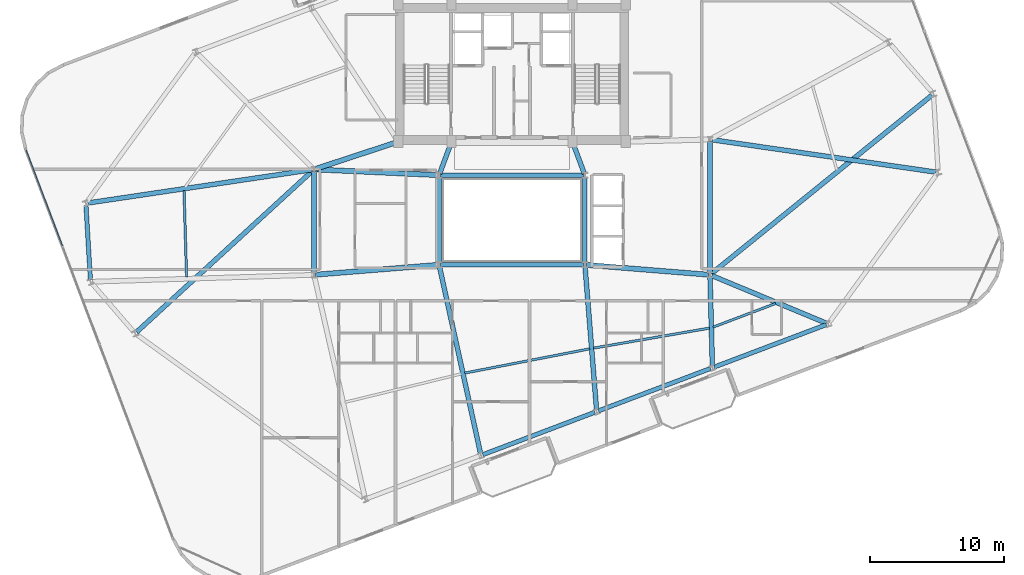
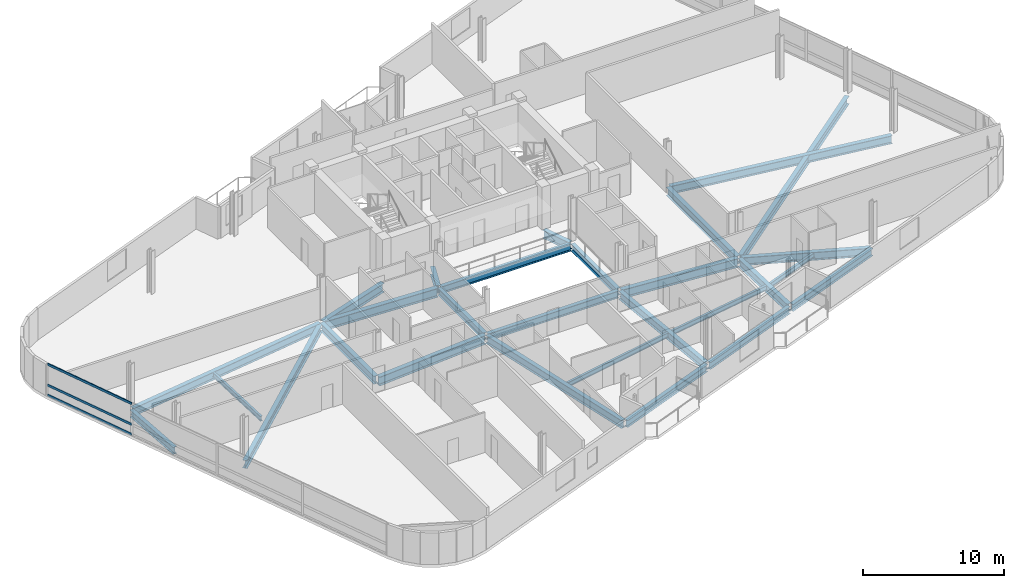
# One storey, part 9 of 24: 28 beams, 3 members, 1 element without a shape of its own.
"""IFC4 building model written with IfcOpenShell, lengths in metres."""

from ifc_helpers import new_model, si_unit, direction, frame, origin, origin_2d, place, context, subcontext, project, spatial, hollow_rectangle, i_section, extrude, material, layer, layer_set, material_profile, profile_set, type_object, element, aggregate, save


model = new_model("IFC4")

# Units and contexts
model_context = context("Model", 3, precision=1e-05, world=origin(), true_north=direction((0.0, 1.0)))
body_context = subcontext(model_context, "Body", "Model", "MODEL_VIEW")
ifc_project = project(units=[si_unit("LENGTHUNIT", "METRE"), si_unit("AREAUNIT", "SQUARE_METRE"), si_unit("VOLUMEUNIT", "CUBIC_METRE"), si_unit("PLANEANGLEUNIT", "RADIAN"), si_unit("MASSUNIT", "GRAM", prefix="KILO")], contexts=[model_context])

# Site, building, storey
site_placement = place(None, origin())
site = spatial("IfcSite", under=ifc_project, at=site_placement, CompositionType="ELEMENT")
building_placement = place(site_placement, origin())
building = spatial("IfcBuilding", under=site, at=building_placement, Name="Varnelok Gate Tower", CompositionType="ELEMENT")
storey_placement = place(building_placement, frame((0.0, 0.0, 212.699951171875)))
storey = spatial("IfcBuildingStorey", under=building, at=storey_placement, Name="L54", CompositionType="ELEMENT", Elevation=212.699951171875)

# Beams
ifc_material_1 = material(Name="Structural Steel ASTM A992 Grade 50", Category="steel")
ifc_material_profile_1 = material_profile(ifc_material_1, i_section(OverallWidth=0.180908203125, OverallDepth=0.4169921875, WebThickness=0.010986328125, FlangeThickness=0.018310546875, FilletRadius=0.013916015625, at=origin_2d()), Name="W16X57")
ifc_profile_set_1 = profile_set([ifc_material_profile_1], Name="Structural Steel ASTM A992 Grade 50")
beam_type_1 = type_object("IfcBeamType", Name="BM-JST-W16X57", PredefinedType="JOIST", material=ifc_profile_set_1)
beam_1_placement = place(storey_placement, frame((35.67138671875, 11.4560546875, -0.45849609375), z_axis=(0.981683548434, 0.190518793651, 0.0), x_axis=(-0.190518793651, 0.981683548434, 0.0)))
element("IfcBeam", 1, at=beam_1_placement, inside=storey, type_object=beam_type_1, Name="L54 Sector Floor Joist 2", PredefinedType="JOIST", context=body_context, shape_type="SweptSolid", body=[
    extrude(i_section(OverallWidth=0.180908203125, OverallDepth=0.4169921875, WebThickness=0.010986328125, FlangeThickness=0.018310546875, FilletRadius=0.013916015625, at=origin_2d()), origin(), (0.0, 0.0, 1.0), 9.517333984375),
])
beam_2_placement = place(storey_placement, frame((45.289794921875, 13.31982421875, -0.45849609375), z_axis=(0.985440255027, 0.170022068484, 0.0), x_axis=(-0.170022068484, 0.985440255027, 0.0)))
element("IfcBeam", 2, at=beam_2_placement, inside=storey, type_object=beam_type_1, Name="L54 Sector Floor Joist 3", PredefinedType="JOIST", context=body_context, shape_type="SweptSolid", body=[
    extrude(i_section(OverallWidth=0.180908203125, OverallDepth=0.4169921875, WebThickness=0.010986328125, FlangeThickness=0.018310546875, FilletRadius=0.013916015625, at=origin_2d()), origin(), (0.0, 0.0, 1.0), 8.8037109375),
])
beam_3_placement = place(storey_placement, frame((54.234375, 14.889892578125, -0.45849609375), z_axis=(0.935207052986, 0.354101352786, 0.0), x_axis=(-0.354101352786, 0.935207052986, 0.0)))
element("IfcBeam", 3, at=beam_3_placement, inside=storey, type_object=beam_type_1, Name="L54 Sector Floor Joist 4", PredefinedType="JOIST", context=body_context, shape_type="SweptSolid", body=[
    extrude(i_section(OverallWidth=0.180908203125, OverallDepth=0.4169921875, WebThickness=0.010986328125, FlangeThickness=0.018310546875, FilletRadius=0.013916015625, at=origin_2d()), origin(), (0.0, 0.0, 1.0), 4.992431640625),
])
beam_4_placement = place(storey_placement, frame((14.6826171875, 25.095947265625, -0.45849609375), z_axis=(0.029614672616, -0.999561389393, 0.0), x_axis=(0.999561389393, 0.029614672616, 0.0)))
element("IfcBeam", 4, at=beam_4_placement, inside=storey, type_object=beam_type_1, Name="L54 Sector Floor Joist 11", PredefinedType="JOIST", context=body_context, shape_type="SweptSolid", body=[
    extrude(i_section(OverallWidth=0.180908203125, OverallDepth=0.4169921875, WebThickness=0.010986328125, FlangeThickness=0.018310546875, FilletRadius=0.013916015625, at=origin_2d()), origin(), (0.0, 0.0, 1.0), 6.455078125),
])
ifc_material_profile_2 = material_profile(ifc_material_1, i_section(OverallWidth=0.35498046875, OverallDepth=0.696044921875, WebThickness=0.015380859375, FlangeThickness=0.02490234375, FilletRadius=0.02001953125, at=origin_2d()), Name="W27X146")
ifc_profile_set_2 = profile_set([ifc_material_profile_2], Name="Structural Steel ASTM A992 Grade 50")
beam_type_2 = type_object("IfcBeamType", Name="BM-PRI-W27X146", PredefinedType="BEAM", material=ifc_profile_set_2)
for number, where, z_axis, x_axis, name in (
    (5, (33.791748046875, 26.362548828125, -0.597900390625), (0.348719329408, 0.937227202602, 0.0), (-0.937227202602, 0.348719329408, 0.0), "L54 Core-Atrium Spine Beam 12"),
    (6, (44.608154296875, 26.362548828125, -0.597900390625), (-0.348719329408, 0.937227202602, 0.0), (-0.937227202602, -0.348719329408, 0.0), "L54 Core-Atrium Spine Beam 13"),
):
    element("IfcBeam", number, at=place(storey_placement, frame(where, z_axis=z_axis, x_axis=x_axis)), inside=storey, type_object=beam_type_2, Name=name, PredefinedType="BEAM", context=body_context, shape_type="SweptSolid", body=[
        extrude(i_section(OverallWidth=0.35498046875, OverallDepth=0.696044921875, WebThickness=0.015380859375, FlangeThickness=0.02490234375, FilletRadius=0.02001953125, at=origin_2d()), origin(), (0.0, 0.0, 1.0), 2.42724609375),
    ])
beam_5_placement = place(storey_placement, frame((24.39990234375, 18.919921875, -0.597900390625), z_axis=(0.0, 1.0, 0.0), x_axis=(-1.0, 0.0, 0.0)))
element("IfcBeam", 7, at=beam_5_placement, inside=storey, type_object=beam_type_2, Name="L54 Core-Atrium Spine Beam 16", PredefinedType="BEAM", context=body_context, shape_type="SweptSolid", body=[
    extrude(i_section(OverallWidth=0.35498046875, OverallDepth=0.696044921875, WebThickness=0.015380859375, FlangeThickness=0.02490234375, FilletRadius=0.02001953125, at=origin_2d()), origin(), (0.0, 0.0, 1.0), 7.64013671875),
])
beam_6_placement = place(storey_placement, frame((54.0, 18.919921875, -0.597900390625), z_axis=(0.0, 1.0, 0.0), x_axis=(-1.0, 0.0, 0.0)))
element("IfcBeam", 8, at=beam_6_placement, inside=storey, type_object=beam_type_2, Name="L54 Core-Atrium Spine Beam 20", PredefinedType="BEAM", context=body_context, shape_type="SweptSolid", body=[
    extrude(i_section(OverallWidth=0.35498046875, OverallDepth=0.696044921875, WebThickness=0.015380859375, FlangeThickness=0.02490234375, FilletRadius=0.02001953125, at=origin_2d()), origin(), (0.0, 0.0, 1.0), 9.880126953125),
])
beam_7_placement = place(storey_placement, frame((33.7822265625, 19.403564453125, -0.597900390625), z_axis=(0.214566745256, -0.976709328219, 0.0), x_axis=(0.976709328219, 0.214566745256, 0.0)))
element("IfcBeam", 9, at=beam_7_placement, inside=storey, type_object=beam_type_2, Name="L54 Radial Floor Girder 2", PredefinedType="BEAM", context=body_context, shape_type="SweptSolid", body=[
    extrude(i_section(OverallWidth=0.35498046875, OverallDepth=0.696044921875, WebThickness=0.015380859375, FlangeThickness=0.02490234375, FilletRadius=0.02001953125, at=origin_2d()), origin(), (0.0, 0.0, 1.0), 14.28662109375),
])
beam_8_placement = place(storey_placement, frame((44.662109375, 19.400390625, -0.597900390625), z_axis=(0.079989916961, -0.996795672736, 0.0), x_axis=(0.996795672736, 0.079989916961, 0.0)))
element("IfcBeam", 10, at=beam_8_placement, inside=storey, type_object=beam_type_2, Name="L54 Radial Floor Girder 3", PredefinedType="BEAM", context=body_context, shape_type="SweptSolid", body=[
    extrude(i_section(OverallWidth=0.35498046875, OverallDepth=0.696044921875, WebThickness=0.015380859375, FlangeThickness=0.02490234375, FilletRadius=0.02001953125, at=origin_2d()), origin(), (0.0, 0.0, 1.0), 10.70703125),
])
beam_9_placement = place(storey_placement, frame((54.00390625, 18.650146484375, -0.597900390625), z_axis=(0.026105842948, -0.999659184404, 0.0), x_axis=(0.999659184404, 0.026105842948, 0.0)))
element("IfcBeam", 11, at=beam_9_placement, inside=storey, type_object=beam_type_2, Name="L54 Radial Floor Girder 4", PredefinedType="BEAM", context=body_context, shape_type="SweptSolid", body=[
    extrude(i_section(OverallWidth=0.35498046875, OverallDepth=0.696044921875, WebThickness=0.015380859375, FlangeThickness=0.02490234375, FilletRadius=0.02001953125, at=origin_2d()), origin(), (0.0, 0.0, 1.0), 6.649169921875),
])
beam_10_placement = place(storey_placement, frame((54.138427734375, 18.742431640625, -0.597900390625), z_axis=(0.923393134815, -0.383855595995, 0.0), x_axis=(0.383855595995, 0.923393134815, 0.0)))
element("IfcBeam", 12, at=beam_10_placement, inside=storey, type_object=beam_type_2, Name="L54 Radial Floor Girder 5", PredefinedType="BEAM", context=body_context, shape_type="SweptSolid", body=[
    extrude(i_section(OverallWidth=0.35498046875, OverallDepth=0.696044921875, WebThickness=0.015380859375, FlangeThickness=0.02490234375, FilletRadius=0.02001953125, at=origin_2d()), origin(), (0.0, 0.0, 1.0), 9.264892578125),
])
beam_11_placement = place(storey_placement, frame((54.1484375, 28.8984375, -0.597900390625), z_axis=(0.989703475153, -0.143132914699, 0.0), x_axis=(0.143132914699, 0.989703475153, 0.0)))
element("IfcBeam", 13, at=beam_11_placement, inside=storey, type_object=beam_type_2, Name="L54 Radial Floor Girder 6", PredefinedType="BEAM", context=body_context, shape_type="SweptSolid", body=[
    extrude(i_section(OverallWidth=0.35498046875, OverallDepth=0.696044921875, WebThickness=0.015380859375, FlangeThickness=0.02490234375, FilletRadius=0.02001953125, at=origin_2d()), origin(), (0.0, 0.0, 1.0), 16.932373046875),
])
beam_12_placement = place(storey_placement, frame((54.11669921875, 18.894287109375, -0.597900390625), z_axis=(0.777332597566, 0.629089844745, 0.0), x_axis=(-0.629089844745, 0.777332597566, 0.0)))
element("IfcBeam", 14, at=beam_12_placement, inside=storey, type_object=beam_type_2, Name="L54 Radial Floor Girder 7", PredefinedType="BEAM", context=body_context, shape_type="SweptSolid", body=[
    extrude(i_section(OverallWidth=0.35498046875, OverallDepth=0.696044921875, WebThickness=0.015380859375, FlangeThickness=0.02490234375, FilletRadius=0.02001953125, at=origin_2d()), origin(), (0.0, 0.0, 1.0), 21.190673828125),
])
beam_13_placement = place(storey_placement, frame((24.251708984375, 26.657958984375, -0.597900390625), z_axis=(-0.989147373927, -0.146926759485, 0.0), x_axis=(0.146926759485, -0.989147373927, 0.0)))
element("IfcBeam", 15, at=beam_13_placement, inside=storey, type_object=beam_type_2, Name="L54 Radial Floor Girder 14", PredefinedType="BEAM", context=body_context, shape_type="SweptSolid", body=[
    extrude(i_section(OverallWidth=0.35498046875, OverallDepth=0.696044921875, WebThickness=0.015380859375, FlangeThickness=0.02490234375, FilletRadius=0.02001953125, at=origin_2d()), origin(), (0.0, 0.0, 1.0), 16.942138671875),
])
beam_14_placement = place(storey_placement, frame((24.289306640625, 26.57861328125, -0.597900390625), z_axis=(-0.737119491435, -0.675762425226, 0.0), x_axis=(0.675762425226, -0.737119491435, 0.0)))
element("IfcBeam", 16, at=beam_14_placement, inside=storey, type_object=beam_type_2, Name="L54 Radial Floor Girder 16", PredefinedType="BEAM", context=body_context, shape_type="SweptSolid", body=[
    extrude(i_section(OverallWidth=0.35498046875, OverallDepth=0.696044921875, WebThickness=0.015380859375, FlangeThickness=0.02490234375, FilletRadius=0.02001953125, at=origin_2d()), origin(), (0.0, 0.0, 1.0), 17.841796875),
])
ifc_material_profile_3 = material_profile(ifc_material_1, i_section(OverallWidth=0.381103515625, OverallDepth=0.77294921875, WebThickness=0.0166015625, FlangeThickness=0.027099609375, FilletRadius=0.02197265625, at=origin_2d()), Name="W30X173")
ifc_profile_set_3 = profile_set([ifc_material_profile_3], Name="Structural Steel ASTM A992 Grade 50")
beam_type_3 = type_object("IfcBeamType", Name="BM-PRI-W30X173", PredefinedType="BEAM", material=ifc_profile_set_3)
beam_15_placement = place(storey_placement, frame((24.51953125, 18.8095703125, -0.636474609375), z_axis=(0.996799206292, 0.07994587128, 0.0), x_axis=(-0.07994587128, 0.996799206292, 0.0)))
element("IfcBeam", 17, at=beam_15_placement, inside=storey, type_object=beam_type_3, Name="L54 Core-Atrium Spine Beam 14", PredefinedType="BEAM", context=body_context, shape_type="SweptSolid", body=[
    extrude(i_section(OverallWidth=0.381103515625, OverallDepth=0.77294921875, WebThickness=0.0166015625, FlangeThickness=0.027099609375, FilletRadius=0.02197265625, at=origin_2d()), origin(), (0.0, 0.0, 1.0), 9.14013671875),
])
beam_16_placement = place(storey_placement, frame((24.52001953125, 26.674560546875, -0.636474609375), z_axis=(0.99894427814, -0.045938319209, 0.0), x_axis=(0.045938319209, 0.99894427814, 0.0)))
element("IfcBeam", 18, at=beam_16_placement, inside=storey, type_object=beam_type_3, Name="L54 Core-Atrium Spine Beam 15", PredefinedType="BEAM", context=body_context, shape_type="SweptSolid", body=[
    extrude(i_section(OverallWidth=0.381103515625, OverallDepth=0.77294921875, WebThickness=0.0166015625, FlangeThickness=0.027099609375, FilletRadius=0.02197265625, at=origin_2d()), origin(), (0.0, 0.0, 1.0), 9.11962890625),
])
beam_17_placement = place(storey_placement, frame((24.513916015625, 26.717529296875, -0.636474609375), z_axis=(0.950041943788, 0.312122259768, 0.0), x_axis=(-0.312122259768, 0.950041943788, 0.0)))
element("IfcBeam", 19, at=beam_17_placement, inside=storey, type_object=beam_type_3, Name="L54 Core-Atrium Spine Beam 17", PredefinedType="BEAM", context=body_context, shape_type="SweptSolid", body=[
    extrude(i_section(OverallWidth=0.381103515625, OverallDepth=0.77294921875, WebThickness=0.0166015625, FlangeThickness=0.027099609375, FilletRadius=0.02197265625, at=origin_2d()), origin(), (0.0, 0.0, 1.0), 6.391357421875),
])
beam_18_placement = place(storey_placement, frame((44.76953125, 19.540283203125, -0.636474609375), z_axis=(0.996799206292, -0.07994587128, 0.0), x_axis=(0.07994587128, 0.996799206292, 0.0)))
element("IfcBeam", 20, at=beam_18_placement, inside=storey, type_object=beam_type_3, Name="L54 Core-Atrium Spine Beam 18", PredefinedType="BEAM", context=body_context, shape_type="SweptSolid", body=[
    extrude(i_section(OverallWidth=0.381103515625, OverallDepth=0.77294921875, WebThickness=0.0166015625, FlangeThickness=0.027099609375, FilletRadius=0.02197265625, at=origin_2d()), origin(), (0.0, 0.0, 1.0), 9.14013671875),
])
ifc_material_profile_4 = material_profile(ifc_material_1, i_section(OverallWidth=0.323974609375, OverallDepth=0.611083984375, WebThickness=0.0126953125, FlangeThickness=0.01904296875, FilletRadius=0.01806640625, at=origin_2d()), Name="W24X104")
ifc_profile_set_4 = profile_set([ifc_material_profile_4], Name="Structural Steel ASTM A992 Grade 50")
beam_type_4 = type_object("IfcBeamType", Name="BM-SPN-W24X104", PredefinedType="SPANDREL", material=ifc_profile_set_4)
for number, where, z_axis, x_axis, name in (
    (21, (33.8701171875, 19.550048828125, -0.555419921875), (1.0, 0.0, 0.0), (0.0, 1.0, 0.0), "L54 Core-Atrium Spine Beam 8"),
    (22, (33.8701171875, 26.25, -0.555419921875), (1.0, 0.0, 0.0), (0.0, 1.0, 0.0), "L54 Core-Atrium Spine Beam 9"),
):
    element("IfcBeam", number, at=place(storey_placement, frame(where, z_axis=z_axis, x_axis=x_axis)), inside=storey, type_object=beam_type_4, Name=name, PredefinedType="SPANDREL", context=body_context, shape_type="SweptSolid", body=[
        extrude(i_section(OverallWidth=0.323974609375, OverallDepth=0.611083984375, WebThickness=0.0126953125, FlangeThickness=0.01904296875, FilletRadius=0.01806640625, at=origin_2d()), origin(), (0.0, 0.0, 1.0), 10.659912109375),
    ])
for number, where, z_axis, x_axis, name in (
    (23, (33.75, 19.669921875, -0.555419921875), (0.0, 1.0, 0.0), (-1.0, 0.0, 0.0), "L54 Core-Atrium Spine Beam 10"),
    (24, (44.64990234375, 19.669921875, -0.555419921875), (0.0, 1.0, 0.0), (-1.0, 0.0, 0.0), "L54 Core-Atrium Spine Beam 11"),
):
    element("IfcBeam", number, at=place(storey_placement, frame(where, z_axis=z_axis, x_axis=x_axis)), inside=storey, type_object=beam_type_4, Name=name, PredefinedType="SPANDREL", context=body_context, shape_type="SweptSolid", body=[
        extrude(i_section(OverallWidth=0.323974609375, OverallDepth=0.611083984375, WebThickness=0.0126953125, FlangeThickness=0.01904296875, FilletRadius=0.01806640625, at=origin_2d()), origin(), (0.0, 0.0, 1.0), 6.4599609375),
    ])
beam_19_placement = place(storey_placement, frame((37.02001953125, 5.356201171875, -0.555419921875), z_axis=(0.935220356141, 0.354066216208, 0.0), x_axis=(-0.354066216208, 0.935220356141, 0.0)))
element("IfcBeam", 25, at=beam_19_placement, inside=storey, type_object=beam_type_4, Name="L54 Perimeter Spandrel Beam 2", PredefinedType="SPANDREL", context=body_context, shape_type="SweptSolid", body=[
    extrude(i_section(OverallWidth=0.323974609375, OverallDepth=0.611083984375, WebThickness=0.0126953125, FlangeThickness=0.01904296875, FilletRadius=0.01806640625, at=origin_2d()), origin(), (0.0, 0.0, 1.0), 8.9501953125),
])
for number, where, z_axis, x_axis, name in (
    (26, (45.6708984375, 8.63134765625, -0.555419921875), (0.935216936382, 0.354075248928, 0.0), (-0.354075248928, 0.935216936382, 0.0), "L54 Perimeter Spandrel Beam 3"),
    (27, (54.32177734375, 11.906494140625, -0.555419921875), (0.935225969099, 0.354051389947, 0.0), (-0.354051389947, 0.935225969099, 0.0), "L54 Perimeter Spandrel Beam 4"),
):
    element("IfcBeam", number, at=place(storey_placement, frame(where, z_axis=z_axis, x_axis=x_axis)), inside=storey, type_object=beam_type_4, Name=name, PredefinedType="SPANDREL", context=body_context, shape_type="SweptSolid", body=[
        extrude(i_section(OverallWidth=0.323974609375, OverallDepth=0.611083984375, WebThickness=0.0126953125, FlangeThickness=0.01904296875, FilletRadius=0.01806640625, at=origin_2d()), origin(), (0.0, 0.0, 1.0), 8.949951171875),
    ])
beam_20_placement = place(storey_placement, frame((7.353759765625, 23.996826171875, -0.555419921875), z_axis=(0.059497061762, -0.99822848068, 0.0), x_axis=(0.99822848068, 0.059497061762, 0.0)))
element("IfcBeam", 28, at=beam_20_placement, inside=storey, type_object=beam_type_4, Name="L54 Perimeter Spandrel Beam 14", PredefinedType="SPANDREL", context=body_context, shape_type="SweptSolid", body=[
    extrude(i_section(OverallWidth=0.323974609375, OverallDepth=0.611083984375, WebThickness=0.0126953125, FlangeThickness=0.01904296875, FilletRadius=0.01806640625, at=origin_2d()), origin(), (0.0, 0.0, 1.0), 5.576416015625),
])

# Curtain wall, members
ifc_material_2 = material(Name="Anodized Aluminum Alloy 6063-T6", Category="aluminium")
ifc_layer = layer(ifc_material_2, 0.179931640625)
ifc_layer_set = layer_set([ifc_layer], Name="Anodized Aluminum Alloy 6063-T6")
curtain_wall_type = type_object("IfcCurtainWallType", Name="CW4-RESIDENCE-VISION", PredefinedType="USERDEFINED", material=ifc_layer_set)
curtain_wall_placement = place(storey_placement, origin())
curtain_wall = element("IfcCurtainWall", 29, at=curtain_wall_placement, inside=storey, type_object=curtain_wall_type, Name="L54 West End Vision Curtain Wall", ObjectType="UNITISED CURTAIN WALL", PredefinedType="USERDEFINED")
ifc_material_profile_5 = material_profile(ifc_material_2, hollow_rectangle(XDim=0.074951171875, YDim=0.199951171875, WallThickness=0.00390625, at=origin_2d()), Name="ALU200X75X4")
ifc_profile_set_5 = profile_set([ifc_material_profile_5], Name="Anodized Aluminum Alloy 6063-T6")
member_type = type_object("IfcMemberType", Name="CW-TRAN-200", PredefinedType="USERDEFINED", material=ifc_profile_set_5)
member_1_placement = place(storey_placement, frame((5.60009765625, 20.9599609375, 0.03759765625), z_axis=(-0.354073041953, 0.935217771945, 0.0), x_axis=(-0.935217771945, -0.354073041953, 0.0)))
member_1 = element("IfcMember", 30, at=member_1_placement, type_object=member_type, Name="CW4 transom 4.1", ObjectType="TRANSOM", PredefinedType="USERDEFINED", context=body_context, shape_type="SweptSolid", body=[
    extrude(hollow_rectangle(XDim=0.074951171875, YDim=0.199951171875, WallThickness=0.00390625, at=origin_2d()), origin(), (0.0, 0.0, 1.0), 7.6875),
])
member_2_placement = place(storey_placement, frame((5.60009765625, 20.9599609375, 0.900146484375), z_axis=(-0.354073041953, 0.935217771945, 0.0), x_axis=(-0.935217771945, -0.354073041953, 0.0)))
member_2 = element("IfcMember", 31, at=member_2_placement, type_object=member_type, Name="CW4 transom 4.2", ObjectType="TRANSOM", PredefinedType="USERDEFINED", context=body_context, shape_type="SweptSolid", body=[
    extrude(hollow_rectangle(XDim=0.074951171875, YDim=0.199951171875, WallThickness=0.00390625, at=origin_2d()), origin(), (0.0, 0.0, 1.0), 7.6875),
])
member_3_placement = place(storey_placement, frame((5.60009765625, 20.9599609375, 2.692626953125), z_axis=(-0.354073041953, 0.935217771945, 0.0), x_axis=(-0.935217771945, -0.354073041953, 0.0)))
member_3 = element("IfcMember", 32, at=member_3_placement, type_object=member_type, Name="CW4 transom 4.3", ObjectType="TRANSOM", PredefinedType="USERDEFINED", context=body_context, shape_type="SweptSolid", body=[
    extrude(hollow_rectangle(XDim=0.074951171875, YDim=0.199951171875, WallThickness=0.00390625, at=origin_2d()), origin(), (0.0, 0.0, 1.0), 7.6875),
])
aggregate(curtain_wall, [member_1, member_2, member_3])

save(model, "model.ifc")
